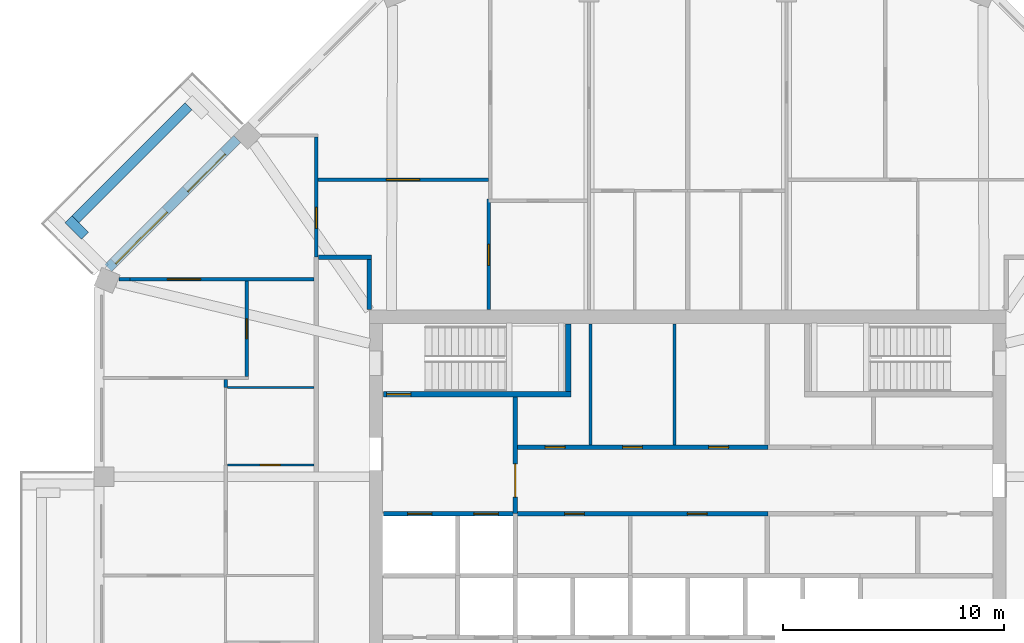
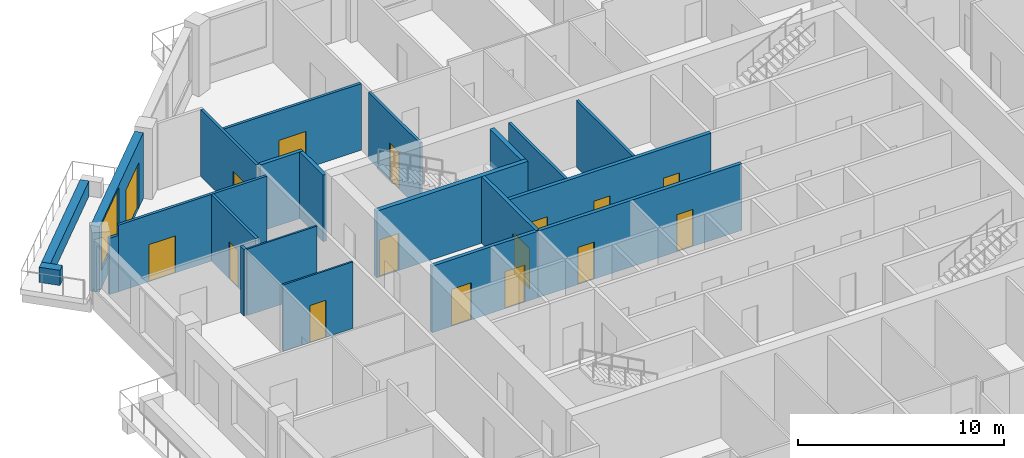
# One storey, part 7 of 12: 22 walls, 16 doors, 1 window, 17 openings.
"""IFC4 building model written with IfcOpenShell, lengths in metres."""

from ifc_helpers import new_model, si_unit, direction, frame, frame_2d, origin, place, context, subcontext, project, spatial, rectangle, extrude, material, layer, layer_set, type_object, element, fill, save


model = new_model("IFC4")

# Units and contexts
model_context = context("Model", 3, precision=1e-05, world=origin(), true_north=direction((0.0, 1.0)))
body_context = subcontext(model_context, "Body", "Model", "MODEL_VIEW")
ifc_project = project(units=[si_unit("LENGTHUNIT", "METRE"), si_unit("AREAUNIT", "SQUARE_METRE"), si_unit("VOLUMEUNIT", "CUBIC_METRE"), si_unit("PLANEANGLEUNIT", "RADIAN"), si_unit("MASSUNIT", "GRAM", prefix="KILO")], contexts=[model_context])

# Site, building, storey
site_placement = place(None, origin())
site = spatial("IfcSite", under=ifc_project, at=site_placement, CompositionType="ELEMENT")
building_placement = place(site_placement, origin())
building = spatial("IfcBuilding", under=site, at=building_placement, Name="Msitu Wima Residences", CompositionType="ELEMENT")
storey_placement = place(building_placement, frame((0.0, 0.0, 251.699951171875)))
storey = spatial("IfcBuildingStorey", under=building, at=storey_placement, Name="L58", CompositionType="ELEMENT", Elevation=251.699951171875)

# Walls
ifc_material_1 = material(Name="Facing brick")
ifc_layer_1 = layer(ifc_material_1, 0.06494140625, Name="Facing brick")
ifc_material_2 = material(Name="Concrete C40/50", Category="concrete")
ifc_layer_2 = layer(ifc_material_2, 0.156005859375, Name="Concrete C40/50")
ifc_material_3 = material(Name="Waterproofing membrane")
ifc_layer_3 = layer(ifc_material_3, 0.00390625, Name="Waterproofing membrane")
ifc_material_4 = material(Name="Planting soil and planting")
ifc_layer_4 = layer(ifc_material_4, 0.22509765625, Name="Planting soil and planting")
ifc_layer_set_1 = layer_set([ifc_layer_1, ifc_layer_2, ifc_layer_3, ifc_layer_4], Name="Concrete C40/50")
wall_type_1 = type_object("IfcWallType", Name="Balcony planter PLANTER PL450", PredefinedType="USERDEFINED", material=ifc_layer_set_1)
wall_1_placement = place(storey_placement, frame((-22.572265625, 21.228759765625, 0.0), z_axis=(0.0, 0.0, 1.0), x_axis=(-0.707106781187, -0.707106781187, 0.0)))
element("IfcWall", 1, at=wall_1_placement, inside=storey, type_object=wall_type_1, Name="Balcony planter NW1 L58", ObjectType="PLANTER", PredefinedType="USERDEFINED", context=body_context, shape_type="SweptSolid", body=[
    extrude(rectangle(XDim=7.23828125, YDim=0.449951171875, at=frame_2d((3.619140625, 0.0))), origin(), (0.0, 0.0, 1.0), 0.900146484375),
])
wall_2_placement = place(storey_placement, frame((-27.26611328125, 15.3681640625, 0.0), z_axis=(0.0, 0.0, 1.0), x_axis=(-0.707223014731, 0.706990528533, 0.0)))
element("IfcWall", 2, at=wall_2_placement, inside=storey, type_object=wall_type_1, Name="Balcony planter NW1 L58", ObjectType="PLANTER", PredefinedType="USERDEFINED", context=body_context, shape_type="SweptSolid", body=[
    extrude(rectangle(XDim=1.050048828125, YDim=0.449951171875, at=frame_2d((0.52490234375, 0.0))), origin(), (0.0, 0.0, 1.0), 0.900146484375),
])

# Wall, openings, door, window
ifc_material_5 = material(Name="Brick (red buff mix)", Category="masonry")
ifc_layer_5 = layer(ifc_material_5, 0.449951171875)
ifc_layer_set_2 = layer_set([ifc_layer_5], Name="Brick (red buff mix)")
wall_type_2 = type_object("IfcWallType", Name="Brick infill wall BW450", PredefinedType="SOLIDWALL", material=ifc_layer_set_2)
wall_3_placement = place(storey_placement, frame((-20.380126953125, 19.743896484375, 0.0), z_axis=(0.0, 0.0, 1.0), x_axis=(-0.707106781187, -0.707106781187, 0.0)))
wall_3 = element("IfcWall", 3, at=wall_3_placement, inside=storey, type_object=wall_type_2, Name="Brick infill wall L58 NW1", PredefinedType="SOLIDWALL", context=body_context, shape_type="SweptSolid", body=[
    extrude(rectangle(XDim=8.251220703125, YDim=0.449951171875, at=frame_2d((4.12548828125, 0.0))), origin(), (0.0, 0.0, 1.0), 3.900146484375),
])
opening_1_placement = place(wall_3_placement, frame((0.86279296875, 0.0, 0.0)))
opening_1 = element("IfcOpeningElement", 4, at=opening_1_placement, cuts=wall_3, Name="Opening D57-59.005", PredefinedType="OPENING", context=body_context, shape_type="SweptSolid", body=[
    extrude(rectangle(XDim=2.39990234375, YDim=2.699951171875, at=frame_2d((1.199951171875, 1.35009765625))), frame((0.0, 0.23486328125, 0.0), z_axis=(0.0, -1.0, 0.0), x_axis=(1.0, 0.0, 0.0)), (0.0, 0.0, 1.0), 0.469970703125),
])
opening_2_placement = place(wall_3_placement, frame((4.57568359375, 0.0, 1.050048828125)))
opening_2 = element("IfcOpeningElement", 5, at=opening_2_placement, cuts=wall_3, Name="Opening W57-59.015", PredefinedType="OPENING", context=body_context, shape_type="SweptSolid", body=[
    extrude(rectangle(XDim=3.300048828125, YDim=2.699951171875, at=frame_2d((1.64990234375, 1.35009765625))), frame((0.0, 0.23486328125, 0.0), z_axis=(0.0, -1.0, 0.0), x_axis=(1.0, 0.0, 0.0)), (0.0, 0.0, 1.0), 0.469970703125),
])
ifc_material_6 = material(Name="Anodised aluminium, bronze finish, clear low-emissivity double glazing", Category="aluminium")
door_type_1 = type_object("IfcDoorType", Name="Balcony door D2400x2700", OperationType="SLIDING_TO_LEFT", PredefinedType="DOOR", material=ifc_material_6)
door_1_placement = place(opening_1_placement, origin())
door_1 = element("IfcDoor", 6, at=door_1_placement, inside=storey, type_object=door_type_1, Name="Balcony door L58 NW1", OperationType="SINGLE_SWING_LEFT", OverallHeight=2.699951171875, OverallWidth=2.39990234375, PredefinedType="DOOR", context=body_context, shape_type="SweptSolid", body=[
    extrude(rectangle(XDim=2.39990234375, YDim=2.699951171875, at=frame_2d((1.199951171875, 1.35009765625))), frame((0.0, 0.1298828125, 0.0), z_axis=(0.0, -1.0, 0.0), x_axis=(1.0, 0.0, 0.0)), (0.0, 0.0, 1.0), 0.050048828125),
])
fill(opening_1, door_1)
window_type = type_object("IfcWindowType", Name="Window W3300x2700", PartitioningType="DOUBLE_PANEL_VERTICAL", PredefinedType="WINDOW", material=ifc_material_6)
window_placement = place(opening_2_placement, origin())
window = element("IfcWindow", 7, at=window_placement, inside=storey, type_object=window_type, Name="Window L58 NW1.2", OverallHeight=2.699951171875, OverallWidth=3.300048828125, PartitioningType="SINGLE_PANEL", PredefinedType="WINDOW", context=body_context, shape_type="SweptSolid", body=[
    extrude(rectangle(XDim=3.300048828125, YDim=2.699951171875, at=frame_2d((1.64990234375, 1.35009765625))), frame((0.0, 0.135009765625, 0.0), z_axis=(0.0, -1.0, 0.0), x_axis=(1.0, 0.0, 0.0)), (0.0, 0.0, 1.0), 0.06005859375),
])
fill(opening_2, window)

# Walls
ifc_material_7 = material(Name="Plaster")
ifc_layer_6 = layer(ifc_material_7, 0.011962890625, Name="Plaster")
ifc_material_8 = material(Name="Concrete blockwork", Category="masonry")
ifc_layer_7 = layer(ifc_material_8, 0.176025390625, Name="Concrete blockwork")
ifc_layer_8 = layer(ifc_material_7, 0.011962890625, Name="Plaster")
ifc_layer_set_3 = layer_set([ifc_layer_6, ifc_layer_7, ifc_layer_8], Name="Concrete blockwork")
wall_type_3 = type_object("IfcWallType", Name="Corridor wall FW200", PredefinedType="PARTITIONING", material=ifc_layer_set_3)
wall_4_placement = place(storey_placement, frame((-16.699951171875, 14.39990234375, 0.0), z_axis=(0.0, 0.0, 1.0), x_axis=(1.0, 0.0, 0.0)))
element("IfcWall", 8, at=wall_4_placement, inside=storey, type_object=wall_type_3, Name="Corridor wall", PredefinedType="PARTITIONING", context=body_context, shape_type="SweptSolid", body=[
    extrude(rectangle(XDim=2.39990234375, YDim=0.199951171875, at=frame_2d((1.199951171875, 0.0))), origin(), (0.0, 0.0, 1.0), 3.949951171875),
])
wall_5_placement = place(storey_placement, frame((-14.39990234375, 12.030029296875, 0.0), z_axis=(0.0, 0.0, 1.0), x_axis=(0.0, 1.0, 0.0)))
element("IfcWall", 9, at=wall_5_placement, inside=storey, type_object=wall_type_3, Name="Corridor wall", PredefinedType="PARTITIONING", context=body_context, shape_type="SweptSolid", body=[
    extrude(rectangle(XDim=2.27001953125, YDim=0.199951171875, at=frame_2d((1.135009765625, 0.0))), origin(), (0.0, 0.0, 1.0), 3.949951171875),
])

# Wall, openings, doors
wall_6_placement = place(storey_placement, frame((-7.820068359375, 2.800048828125, 0.0), z_axis=(0.0, 0.0, 1.0), x_axis=(1.0, 0.0, 0.0)))
wall_6 = element("IfcWall", 10, at=wall_6_placement, inside=storey, type_object=wall_type_3, Name="Corridor wall", PredefinedType="PARTITIONING", context=body_context, shape_type="SweptSolid", body=[
    extrude(rectangle(XDim=11.440185546875, YDim=0.199951171875, at=frame_2d((5.72021484375, 0.0))), origin(), (0.0, 0.0, 1.0), 3.949951171875),
])
opening_3_placement = place(wall_6_placement, frame((2.25, 0.0, 0.0)))
opening_3 = element("IfcOpeningElement", 11, at=opening_3_placement, cuts=wall_6, Name="Opening D57-59.079", PredefinedType="OPENING", context=body_context, shape_type="SweptSolid", body=[
    extrude(rectangle(XDim=0.89990234375, YDim=2.199951171875, at=frame_2d((0.449951171875, 1.10009765625))), frame((0.0, 0.10986328125, 0.0), z_axis=(0.0, -1.0, 0.0), x_axis=(1.0, 0.0, 0.0)), (0.0, 0.0, 1.0), 0.219970703125),
])
opening_4_placement = place(wall_6_placement, frame((7.800048828125, 0.0, 0.0)))
opening_4 = element("IfcOpeningElement", 12, at=opening_4_placement, cuts=wall_6, Name="Opening D57-59.080", PredefinedType="OPENING", context=body_context, shape_type="SweptSolid", body=[
    extrude(rectangle(XDim=0.89990234375, YDim=2.199951171875, at=frame_2d((0.449951171875, 1.10009765625))), frame((0.0, 0.10986328125, 0.0), z_axis=(0.0, -1.0, 0.0), x_axis=(1.0, 0.0, 0.0)), (0.0, 0.0, 1.0), 0.219970703125),
])
ifc_material_9 = material(Name="Timber flush door", Category="wood")
door_type_2 = type_object("IfcDoorType", Name="Service door D05 900x2200", OperationType="SINGLE_SWING_LEFT", PredefinedType="DOOR", material=ifc_material_9)
door_2_placement = place(opening_3_placement, origin())
door_2 = element("IfcDoor", 13, at=door_2_placement, inside=storey, type_object=door_type_2, Name="Service door", OperationType="SINGLE_SWING_LEFT", OverallHeight=2.199951171875, OverallWidth=0.89990234375, PredefinedType="DOOR", context=body_context, shape_type="SweptSolid", body=[
    extrude(rectangle(XDim=0.89990234375, YDim=2.199951171875, at=frame_2d((0.449951171875, 1.10009765625))), frame((0.0, 0.02490234375, 0.0), z_axis=(0.0, -1.0, 0.0), x_axis=(1.0, 0.0, 0.0)), (0.0, 0.0, 1.0), 0.050048828125),
])
fill(opening_3, door_2)
door_3_placement = place(opening_4_placement, origin())
door_3 = element("IfcDoor", 14, at=door_3_placement, inside=storey, type_object=door_type_2, Name="Service door", OperationType="SINGLE_SWING_RIGHT", OverallHeight=2.199951171875, OverallWidth=0.89990234375, PredefinedType="DOOR", context=body_context, shape_type="SweptSolid", body=[
    extrude(rectangle(XDim=0.89990234375, YDim=2.199951171875, at=frame_2d((0.449951171875, 1.10009765625))), frame((0.0, 0.02490234375, 0.0), z_axis=(0.0, -1.0, 0.0), x_axis=(1.0, 0.0, 0.0)), (0.0, 0.0, 1.0), 0.050048828125),
])
fill(opening_4, door_3)

# Wall, opening, door
wall_7_placement = place(storey_placement, frame((-7.800048828125, 2.800048828125, 0.0), z_axis=(0.0, 0.0, 1.0), x_axis=(0.0, 1.0, 0.0)))
wall_7 = element("IfcWall", 15, at=wall_7_placement, inside=storey, type_object=wall_type_3, Name="Corridor wall", PredefinedType="PARTITIONING", context=body_context, shape_type="SweptSolid", body=[
    extrude(rectangle(XDim=5.27490234375, YDim=0.199951171875, at=frame_2d((2.637451171875, 0.0))), origin(), (0.0, 0.0, 1.0), 3.949951171875),
])
opening_5_placement = place(wall_7_placement, frame((0.75, 0.0, 0.0)))
opening_5 = element("IfcOpeningElement", 16, at=opening_5_placement, cuts=wall_7, Name="Opening D57-59.065", PredefinedType="OPENING", context=body_context, shape_type="SweptSolid", body=[
    extrude(rectangle(XDim=1.5, YDim=2.39990234375, at=frame_2d((0.75, 1.199951171875))), frame((0.0, 0.10986328125, 0.0), z_axis=(0.0, -1.0, 0.0), x_axis=(1.0, 0.0, 0.0)), (0.0, 0.0, 1.0), 0.219970703125),
])
ifc_material_10 = material(Name="Steel framed glazed door, fire resisting", Category="steel")
door_type_3 = type_object("IfcDoorType", Name="Lobby door D07 1500x2400", OperationType="DOUBLE_DOOR_SINGLE_SWING", PredefinedType="DOOR", material=ifc_material_10)
door_4_placement = place(opening_5_placement, origin())
door_4 = element("IfcDoor", 17, at=door_4_placement, inside=storey, type_object=door_type_3, Name="Lobby door", OperationType="DOUBLE_DOOR_SINGLE_SWING", OverallHeight=2.39990234375, OverallWidth=1.5, PredefinedType="DOOR", context=body_context, shape_type="SweptSolid", body=[
    extrude(rectangle(XDim=1.5, YDim=2.39990234375, at=frame_2d((0.75, 1.199951171875))), frame((0.0, 0.02490234375, 0.0), z_axis=(0.0, -1.0, 0.0), x_axis=(1.0, 0.0, 0.0)), (0.0, 0.0, 1.0), 0.050048828125),
])
fill(opening_5, door_4)

# Wall, openings, doors
wall_8_placement = place(storey_placement, frame((-7.699951171875, 5.800048828125, 0.0), z_axis=(0.0, 0.0, 1.0), x_axis=(1.0, 0.0, 0.0)))
wall_8 = element("IfcWall", 18, at=wall_8_placement, inside=storey, type_object=wall_type_3, Name="Corridor wall", PredefinedType="PARTITIONING", context=body_context, shape_type="SweptSolid", body=[
    extrude(rectangle(XDim=11.320068359375, YDim=0.199951171875, at=frame_2d((5.66015625, 0.0))), origin(), (0.0, 0.0, 1.0), 3.949951171875),
])
opening_6_placement = place(wall_8_placement, frame((1.25, 0.0, 0.0)))
opening_6 = element("IfcOpeningElement", 19, at=opening_6_placement, cuts=wall_8, Name="Opening D57-59.068", PredefinedType="OPENING", context=body_context, shape_type="SweptSolid", body=[
    extrude(rectangle(XDim=0.89990234375, YDim=2.199951171875, at=frame_2d((0.449951171875, 1.10009765625))), frame((0.0, 0.10986328125, 0.0), z_axis=(0.0, -1.0, 0.0), x_axis=(1.0, 0.0, 0.0)), (0.0, 0.0, 1.0), 0.219970703125),
])
opening_7_placement = place(wall_8_placement, frame((4.75, 0.0, 0.0)))
opening_7 = element("IfcOpeningElement", 20, at=opening_7_placement, cuts=wall_8, Name="Opening D57-59.069", PredefinedType="OPENING", context=body_context, shape_type="SweptSolid", body=[
    extrude(rectangle(XDim=0.89990234375, YDim=2.199951171875, at=frame_2d((0.449951171875, 1.10009765625))), frame((0.0, 0.10986328125, 0.0), z_axis=(0.0, -1.0, 0.0), x_axis=(1.0, 0.0, 0.0)), (0.0, 0.0, 1.0), 0.219970703125),
])
opening_8_placement = place(wall_8_placement, frame((8.64990234375, 0.0, 0.0)))
opening_8 = element("IfcOpeningElement", 21, at=opening_8_placement, cuts=wall_8, Name="Opening D57-59.070", PredefinedType="OPENING", context=body_context, shape_type="SweptSolid", body=[
    extrude(rectangle(XDim=0.89990234375, YDim=2.199951171875, at=frame_2d((0.449951171875, 1.10009765625))), frame((0.0, 0.10986328125, 0.0), z_axis=(0.0, -1.0, 0.0), x_axis=(1.0, 0.0, 0.0)), (0.0, 0.0, 1.0), 0.219970703125),
])
door_5_placement = place(opening_6_placement, origin())
door_5 = element("IfcDoor", 22, at=door_5_placement, inside=storey, type_object=door_type_2, Name="Service door", OperationType="SINGLE_SWING_RIGHT", OverallHeight=2.199951171875, OverallWidth=0.89990234375, PredefinedType="DOOR", context=body_context, shape_type="SweptSolid", body=[
    extrude(rectangle(XDim=0.89990234375, YDim=2.199951171875, at=frame_2d((0.449951171875, 1.10009765625))), frame((0.0, 0.02490234375, 0.0), z_axis=(0.0, -1.0, 0.0), x_axis=(1.0, 0.0, 0.0)), (0.0, 0.0, 1.0), 0.050048828125),
])
fill(opening_6, door_5)
door_6_placement = place(opening_7_placement, origin())
door_6 = element("IfcDoor", 23, at=door_6_placement, inside=storey, type_object=door_type_2, Name="Service door", OperationType="SINGLE_SWING_LEFT", OverallHeight=2.199951171875, OverallWidth=0.89990234375, PredefinedType="DOOR", context=body_context, shape_type="SweptSolid", body=[
    extrude(rectangle(XDim=0.89990234375, YDim=2.199951171875, at=frame_2d((0.449951171875, 1.10009765625))), frame((0.0, 0.02490234375, 0.0), z_axis=(0.0, -1.0, 0.0), x_axis=(1.0, 0.0, 0.0)), (0.0, 0.0, 1.0), 0.050048828125),
])
fill(opening_7, door_6)
door_7_placement = place(opening_8_placement, origin())
door_7 = element("IfcDoor", 24, at=door_7_placement, inside=storey, type_object=door_type_2, Name="Service door", OperationType="SINGLE_SWING_LEFT", OverallHeight=2.199951171875, OverallWidth=0.89990234375, PredefinedType="DOOR", context=body_context, shape_type="SweptSolid", body=[
    extrude(rectangle(XDim=0.89990234375, YDim=2.199951171875, at=frame_2d((0.449951171875, 1.10009765625))), frame((0.0, 0.02490234375, 0.0), z_axis=(0.0, -1.0, 0.0), x_axis=(1.0, 0.0, 0.0)), (0.0, 0.0, 1.0), 0.050048828125),
])
fill(opening_8, door_7)

# Wall
ifc_layer_9 = layer(ifc_material_7, 0.011962890625, Name="Plaster")
ifc_layer_10 = layer(ifc_material_8, 0.1259765625, Name="Concrete blockwork")
ifc_layer_11 = layer(ifc_material_7, 0.011962890625, Name="Plaster")
ifc_layer_set_4 = layer_set([ifc_layer_9, ifc_layer_10, ifc_layer_11], Name="Concrete blockwork")
wall_type_4 = type_object("IfcWallType", Name="Partition PW150", PredefinedType="PARTITIONING", material=ifc_layer_set_4)
wall_9_placement = place(storey_placement, frame((-25.731201171875, 13.406005859375, 0.0), z_axis=(0.0, 0.0, 1.0), x_axis=(1.0, 0.0, 0.0)))
element("IfcWall", 25, at=wall_9_placement, inside=storey, type_object=wall_type_4, Name="Partition", PredefinedType="PARTITIONING", context=body_context, shape_type="SweptSolid", body=[
    extrude(rectangle(XDim=0.507080078125, YDim=0.14990234375, at=frame_2d((0.25341796875, 0.0))), origin(), (0.0, 0.0, 1.0), 3.35009765625),
])

# Wall, opening, door
wall_10_placement = place(storey_placement, frame((-25.22412109375, 13.406005859375, 0.0), z_axis=(0.0, 0.0, 1.0), x_axis=(1.0, 0.0, 0.0)))
wall_10 = element("IfcWall", 26, at=wall_10_placement, inside=storey, type_object=wall_type_4, Name="Partition", PredefinedType="PARTITIONING", context=body_context, shape_type="SweptSolid", body=[
    extrude(rectangle(XDim=8.32421875, YDim=0.14990234375, at=frame_2d((4.162109375, 0.0))), origin(), (0.0, 0.0, 1.0), 3.949951171875),
])
opening_9_placement = place(wall_10_placement, frame((1.69287109375, 0.0, 0.0)))
opening_9 = element("IfcOpeningElement", 27, at=opening_9_placement, cuts=wall_10, Name="Opening D57-59.048", PredefinedType="OPENING", context=body_context, shape_type="SweptSolid", body=[
    extrude(rectangle(XDim=1.5, YDim=2.199951171875, at=frame_2d((0.75, 1.10009765625))), frame((0.0, 0.0849609375, 0.0), z_axis=(0.0, -1.0, 0.0), x_axis=(1.0, 0.0, 0.0)), (0.0, 0.0, 1.0), 0.169921875),
])
ifc_material_11 = material(Name="Timber double door", Category="wood")
door_type_4 = type_object("IfcDoorType", Name="Double door D04 1500x2200", OperationType="DOUBLE_DOOR_SINGLE_SWING", PredefinedType="DOOR", material=ifc_material_11)
door_8_placement = place(opening_9_placement, origin())
door_8 = element("IfcDoor", 28, at=door_8_placement, inside=storey, type_object=door_type_4, Name="Double door", OperationType="DOUBLE_DOOR_SINGLE_SWING", OverallHeight=2.199951171875, OverallWidth=1.5, PredefinedType="DOOR", context=body_context, shape_type="SweptSolid", body=[
    extrude(rectangle(XDim=1.5, YDim=2.199951171875, at=frame_2d((0.75, 1.10009765625))), frame((0.0, 0.02490234375, 0.0), z_axis=(0.0, -1.0, 0.0), x_axis=(1.0, 0.0, 0.0)), (0.0, 0.0, 1.0), 0.050048828125),
])
fill(opening_9, door_8)

# Wall
wall_11_placement = place(storey_placement, frame((-20.89990234375, 8.5, 0.0), z_axis=(0.0, 0.0, 1.0), x_axis=(0.0, 1.0, 0.0)))
element("IfcWall", 29, at=wall_11_placement, inside=storey, type_object=wall_type_4, Name="Partition", PredefinedType="PARTITIONING", context=body_context, shape_type="SweptSolid", body=[
    extrude(rectangle(XDim=0.3623046875, YDim=0.14990234375, at=frame_2d((0.18115234375, 0.0))), origin(), (0.0, 0.0, 1.0), 3.949951171875),
])

# Wall, opening, door
wall_12_placement = place(storey_placement, frame((-19.949951171875, 9.01220703125, 0.0), z_axis=(0.0, 0.0, 1.0), x_axis=(0.0, 1.0, 0.0)))
wall_12 = element("IfcWall", 30, at=wall_12_placement, inside=storey, type_object=wall_type_4, Name="Partition", PredefinedType="PARTITIONING", context=body_context, shape_type="SweptSolid", body=[
    extrude(rectangle(XDim=4.318603515625, YDim=0.14990234375, at=frame_2d((2.1591796875, 0.0))), origin(), (0.0, 0.0, 1.0), 3.949951171875),
])
opening_10_placement = place(wall_12_placement, frame((1.699951171875, 0.0, 0.0)))
opening_10 = element("IfcOpeningElement", 31, at=opening_10_placement, cuts=wall_12, Name="Opening D57-59.032", PredefinedType="OPENING", context=body_context, shape_type="SweptSolid", body=[
    extrude(rectangle(XDim=0.89990234375, YDim=2.199951171875, at=frame_2d((0.449951171875, 1.10009765625))), frame((0.0, 0.0849609375, 0.0), z_axis=(0.0, -1.0, 0.0), x_axis=(1.0, 0.0, 0.0)), (0.0, 0.0, 1.0), 0.169921875),
])
door_9_placement = place(opening_10_placement, origin())
door_9 = element("IfcDoor", 32, at=door_9_placement, inside=storey, type_object=door_type_2, Name="Service door", OperationType="SINGLE_SWING_LEFT", OverallHeight=2.199951171875, OverallWidth=0.89990234375, PredefinedType="DOOR", context=body_context, shape_type="SweptSolid", body=[
    extrude(rectangle(XDim=0.89990234375, YDim=2.199951171875, at=frame_2d((0.449951171875, 1.10009765625))), frame((0.0, 0.02490234375, 0.0), z_axis=(0.0, -1.0, 0.0), x_axis=(1.0, 0.0, 0.0)), (0.0, 0.0, 1.0), 0.050048828125),
])
fill(opening_10, door_9)

wall_13_placement = place(storey_placement, frame((-16.800048828125, 14.39990234375, 0.0), z_axis=(0.0, 0.0, 1.0), x_axis=(0.0, 1.0, 0.0)))
wall_13 = element("IfcWall", 33, at=wall_13_placement, inside=storey, type_object=wall_type_4, Name="Partition", PredefinedType="PARTITIONING", context=body_context, shape_type="SweptSolid", body=[
    extrude(rectangle(XDim=5.427978515625, YDim=0.14990234375, at=frame_2d((2.7138671875, 0.0))), origin(), (0.0, 0.0, 1.0), 3.949951171875),
])
opening_11_placement = place(wall_13_placement, frame((1.300048828125, 0.0, 0.0)))
opening_11 = element("IfcOpeningElement", 34, at=opening_11_placement, cuts=wall_13, Name="Opening D57-59.028", PredefinedType="OPENING", context=body_context, shape_type="SweptSolid", body=[
    extrude(rectangle(XDim=0.949951171875, YDim=2.199951171875, at=frame_2d((0.47509765625, 1.10009765625))), frame((0.0, 0.0849609375, 0.0), z_axis=(0.0, -1.0, 0.0), x_axis=(1.0, 0.0, 0.0)), (0.0, 0.0, 1.0), 0.169921875),
])
door_type_5 = type_object("IfcDoorType", Name="Room door D12 950x2200", OperationType="SINGLE_SWING_LEFT", PredefinedType="DOOR", material=ifc_material_9)
door_10_placement = place(opening_11_placement, origin())
door_10 = element("IfcDoor", 35, at=door_10_placement, inside=storey, type_object=door_type_5, Name="Room door", OperationType="SINGLE_SWING_LEFT", OverallHeight=2.199951171875, OverallWidth=0.949951171875, PredefinedType="DOOR", context=body_context, shape_type="SweptSolid", body=[
    extrude(rectangle(XDim=0.949951171875, YDim=2.199951171875, at=frame_2d((0.47509765625, 1.10009765625))), frame((0.0, 0.02490234375, 0.0), z_axis=(0.0, -1.0, 0.0), x_axis=(1.0, 0.0, 0.0)), (0.0, 0.0, 1.0), 0.050048828125),
])
fill(opening_11, door_10)

wall_14_placement = place(storey_placement, frame((-16.72509765625, 17.89990234375, 0.0), z_axis=(0.0, 0.0, 1.0), x_axis=(1.0, 0.0, 0.0)))
wall_14 = element("IfcWall", 36, at=wall_14_placement, inside=storey, type_object=wall_type_4, Name="Partition", PredefinedType="PARTITIONING", context=body_context, shape_type="SweptSolid", body=[
    extrude(rectangle(XDim=7.712890625, YDim=0.14990234375, at=frame_2d((3.8564453125, 0.0))), origin(), (0.0, 0.0, 1.0), 3.949951171875),
])
opening_12_placement = place(wall_14_placement, frame((3.10009765625, 0.0, 0.0)))
opening_12 = element("IfcOpeningElement", 37, at=opening_12_placement, cuts=wall_14, Name="Opening D57-59.029", PredefinedType="OPENING", context=body_context, shape_type="SweptSolid", body=[
    extrude(rectangle(XDim=1.5, YDim=2.199951171875, at=frame_2d((0.75, 1.10009765625))), frame((0.0, 0.0849609375, 0.0), z_axis=(0.0, -1.0, 0.0), x_axis=(1.0, 0.0, 0.0)), (0.0, 0.0, 1.0), 0.169921875),
])
door_11_placement = place(opening_12_placement, origin())
door_11 = element("IfcDoor", 38, at=door_11_placement, inside=storey, type_object=door_type_4, Name="Double door", OperationType="DOUBLE_DOOR_SINGLE_SWING", OverallHeight=2.199951171875, OverallWidth=1.5, PredefinedType="DOOR", context=body_context, shape_type="SweptSolid", body=[
    extrude(rectangle(XDim=1.5, YDim=2.199951171875, at=frame_2d((0.75, 1.10009765625))), frame((0.0, 0.02490234375, 0.0), z_axis=(0.0, -1.0, 0.0), x_axis=(1.0, 0.0, 0.0)), (0.0, 0.0, 1.0), 0.050048828125),
])
fill(opening_12, door_11)

wall_15_placement = place(storey_placement, frame((-9.0, 12.030029296875, 0.0), z_axis=(0.0, 0.0, 1.0), x_axis=(0.0, 1.0, 0.0)))
wall_15 = element("IfcWall", 39, at=wall_15_placement, inside=storey, type_object=wall_type_4, Name="Partition", PredefinedType="PARTITIONING", context=body_context, shape_type="SweptSolid", body=[
    extrude(rectangle(XDim=4.994873046875, YDim=0.14990234375, at=frame_2d((2.49755859375, 0.0))), origin(), (0.0, 0.0, 1.0), 3.949951171875),
])
opening_13_placement = place(wall_15_placement, frame((2.0, 0.0, 0.0)))
opening_13 = element("IfcOpeningElement", 40, at=opening_13_placement, cuts=wall_15, Name="Opening D57-59.034", PredefinedType="OPENING", context=body_context, shape_type="SweptSolid", body=[
    extrude(rectangle(XDim=0.949951171875, YDim=2.199951171875, at=frame_2d((0.47509765625, 1.10009765625))), frame((0.0, 0.0849609375, 0.0), z_axis=(0.0, -1.0, 0.0), x_axis=(1.0, 0.0, 0.0)), (0.0, 0.0, 1.0), 0.169921875),
])
door_12_placement = place(opening_13_placement, origin())
door_12 = element("IfcDoor", 41, at=door_12_placement, inside=storey, type_object=door_type_5, Name="Room door", OperationType="SINGLE_SWING_LEFT", OverallHeight=2.199951171875, OverallWidth=0.949951171875, PredefinedType="DOOR", context=body_context, shape_type="SweptSolid", body=[
    extrude(rectangle(XDim=0.949951171875, YDim=2.199951171875, at=frame_2d((0.47509765625, 1.10009765625))), frame((0.0, 0.02490234375, 0.0), z_axis=(0.0, -1.0, 0.0), x_axis=(1.0, 0.0, 0.0)), (0.0, 0.0, 1.0), 0.050048828125),
])
fill(opening_13, door_12)

# Walls
for number, where, z_axis, x_axis, name in (
    (42, (-4.39990234375, 5.89990234375, 0.0), (0.0, 0.0, 1.0), (0.0, 1.0, 0.0), "Partition"),
    (43, (-0.60009765625, 5.89990234375, 0.0), (0.0, 0.0, 1.0), (0.0, 1.0, 0.0), "Partition"),
):
    element("IfcWall", number, at=place(storey_placement, frame(where, z_axis=z_axis, x_axis=x_axis)), inside=storey, type_object=wall_type_4, Name=name, PredefinedType="PARTITIONING", context=body_context, shape_type="SweptSolid", body=[
        extrude(rectangle(XDim=5.47021484375, YDim=0.14990234375, at=frame_2d((2.735107421875, 0.0))), origin(), (0.0, 0.0, 1.0), 3.949951171875),
    ])

# Wall, openings, doors
ifc_material_12 = material(Name="Fire-rated board")
ifc_layer_12 = layer(ifc_material_12, 0.02490234375, Name="Fire-rated board")
ifc_material_13 = material(Name="Light-gauge stud framing with mineral wool")
ifc_layer_13 = layer(ifc_material_13, 0.14990234375, Name="Light-gauge stud framing with mineral wool")
ifc_layer_14 = layer(ifc_material_12, 0.02490234375, Name="Fire-rated board")
ifc_layer_set_5 = layer_set([ifc_layer_12, ifc_layer_13, ifc_layer_14], Name="Light-gauge stud framing with mineral wool")
wall_type_5 = type_object("IfcWallType", Name="Shaft wall SH200", PredefinedType="PARTITIONING", material=ifc_layer_set_5)
wall_16_placement = place(storey_placement, frame((-13.77001953125, 2.800048828125, 0.0), z_axis=(0.0, 0.0, 1.0), x_axis=(1.0, 0.0, 0.0)))
wall_16 = element("IfcWall", 44, at=wall_16_placement, inside=storey, type_object=wall_type_5, Name="Shaft wall", PredefinedType="PARTITIONING", context=body_context, shape_type="SweptSolid", body=[
    extrude(rectangle(XDim=5.949951171875, YDim=0.199951171875, at=frame_2d((2.97509765625, 0.0))), origin(), (0.0, 0.0, 1.0), 3.949951171875),
])
opening_14_placement = place(wall_16_placement, frame((1.10009765625, 0.0, 0.0)))
opening_14 = element("IfcOpeningElement", 45, at=opening_14_placement, cuts=wall_16, Name="Opening LD", PredefinedType="OPENING", context=body_context, shape_type="SweptSolid", body=[
    extrude(rectangle(XDim=1.10009765625, YDim=2.199951171875, at=frame_2d((0.550048828125, 1.10009765625))), frame((0.0, 0.10986328125, 0.0), z_axis=(0.0, -1.0, 0.0), x_axis=(1.0, 0.0, 0.0)), (0.0, 0.0, 1.0), 0.219970703125),
])
opening_15_placement = place(wall_16_placement, frame((4.10009765625, 0.0, 0.0)))
opening_15 = element("IfcOpeningElement", 46, at=opening_15_placement, cuts=wall_16, Name="Opening LD", PredefinedType="OPENING", context=body_context, shape_type="SweptSolid", body=[
    extrude(rectangle(XDim=1.10009765625, YDim=2.199951171875, at=frame_2d((0.550048828125, 1.10009765625))), frame((0.0, 0.10986328125, 0.0), z_axis=(0.0, -1.0, 0.0), x_axis=(1.0, 0.0, 0.0)), (0.0, 0.0, 1.0), 0.219970703125),
])
ifc_material_14 = material(Name="Stainless steel centre-opening landing door, rated", Category="steel")
door_type_6 = type_object("IfcDoorType", Name="Lift landing door LD 1100x2200", OperationType="DOUBLE_DOOR_SLIDING", PredefinedType="DOOR", material=ifc_material_14)
door_13_placement = place(opening_14_placement, origin())
door_13 = element("IfcDoor", 47, at=door_13_placement, inside=storey, type_object=door_type_6, Name="Lift landing door LD1", OperationType="DOUBLE_DOOR_SLIDING", OverallHeight=2.199951171875, OverallWidth=1.10009765625, PredefinedType="DOOR", context=body_context, shape_type="SweptSolid", body=[
    extrude(rectangle(XDim=1.10009765625, YDim=2.199951171875, at=frame_2d((0.550048828125, 1.10009765625))), frame((0.0, 0.02490234375, 0.0), z_axis=(0.0, -1.0, 0.0), x_axis=(1.0, 0.0, 0.0)), (0.0, 0.0, 1.0), 0.050048828125),
])
fill(opening_14, door_13)
door_14_placement = place(opening_15_placement, origin())
door_14 = element("IfcDoor", 48, at=door_14_placement, inside=storey, type_object=door_type_6, Name="Lift landing door LD2", OperationType="DOUBLE_DOOR_SLIDING", OverallHeight=2.199951171875, OverallWidth=1.10009765625, PredefinedType="DOOR", context=body_context, shape_type="SweptSolid", body=[
    extrude(rectangle(XDim=1.10009765625, YDim=2.199951171875, at=frame_2d((0.550048828125, 1.10009765625))), frame((0.0, 0.02490234375, 0.0), z_axis=(0.0, -1.0, 0.0), x_axis=(1.0, 0.0, 0.0)), (0.0, 0.0, 1.0), 0.050048828125),
])
fill(opening_15, door_14)

# Wall, opening, door
ifc_material_15 = material(Name="Concrete C50/60", Category="concrete")
ifc_layer_15 = layer(ifc_material_15, 0.25)
ifc_layer_set_6 = layer_set([ifc_layer_15], Name="Concrete C50/60")
wall_type_6 = type_object("IfcWallType", Name="Stair enclosure wall SW250", PredefinedType="SHEAR", material=ifc_layer_set_6)
wall_17_placement = place(storey_placement, frame((-13.77001953125, 8.199951171875, 0.0), z_axis=(0.0, 0.0, 1.0), x_axis=(1.0, 0.0, 0.0)))
wall_17 = element("IfcWall", 49, at=wall_17_placement, inside=storey, type_object=wall_type_6, Name="Stair enclosure wall", PredefinedType="SHEAR", context=body_context, shape_type="SweptSolid", body=[
    extrude(rectangle(XDim=8.4951171875, YDim=0.25, at=frame_2d((4.24755859375, 0.0))), origin(), (0.0, 0.0, 1.0), 3.949951171875),
])
opening_16_placement = place(wall_17_placement, frame((0.14990234375, 0.0, 0.0)))
opening_16 = element("IfcOpeningElement", 50, at=opening_16_placement, cuts=wall_17, Name="Opening D57-59.085", PredefinedType="OPENING", context=body_context, shape_type="SweptSolid", body=[
    extrude(rectangle(XDim=1.10009765625, YDim=2.199951171875, at=frame_2d((0.550048828125, 1.10009765625))), frame((0.0, 0.135009765625, 0.0), z_axis=(0.0, -1.0, 0.0), x_axis=(1.0, 0.0, 0.0)), (0.0, 0.0, 1.0), 0.27001953125),
])
ifc_material_16 = material(Name="Steel door, fire resisting, panic bar", Category="steel")
door_type_7 = type_object("IfcDoorType", Name="Stair door D06 1100x2200", OperationType="SINGLE_SWING_LEFT", PredefinedType="DOOR", material=ifc_material_16)
door_15_placement = place(opening_16_placement, origin())
door_15 = element("IfcDoor", 51, at=door_15_placement, inside=storey, type_object=door_type_7, Name="Stair door", OperationType="SINGLE_SWING_LEFT", OverallHeight=2.199951171875, OverallWidth=1.10009765625, PredefinedType="DOOR", context=body_context, shape_type="SweptSolid", body=[
    extrude(rectangle(XDim=1.10009765625, YDim=2.199951171875, at=frame_2d((0.550048828125, 1.10009765625))), frame((0.0, 0.02490234375, 0.0), z_axis=(0.0, -1.0, 0.0), x_axis=(1.0, 0.0, 0.0)), (0.0, 0.0, 1.0), 0.050048828125),
])
fill(opening_16, door_15)

# Wall
wall_18_placement = place(storey_placement, frame((-5.39990234375, 8.324951171875, 0.0), z_axis=(0.0, 0.0, 1.0), x_axis=(0.0, 1.0, 0.0)))
element("IfcWall", 52, at=wall_18_placement, inside=storey, type_object=wall_type_6, Name="Stair enclosure wall", PredefinedType="SHEAR", context=body_context, shape_type="SweptSolid", body=[
    extrude(rectangle(XDim=3.045166015625, YDim=0.25, at=frame_2d((1.5224609375, 0.0))), origin(), (0.0, 0.0, 1.0), 3.949951171875),
])

# Wall, opening, door
ifc_material_17 = material(Name="Ceramic tiles")
ifc_layer_16 = layer(ifc_material_17, 0.008056640625, Name="Ceramic tiles")
ifc_material_18 = material(Name="Moisture-resistant board")
ifc_layer_17 = layer(ifc_material_18, 0.012451171875, Name="Moisture-resistant board")
ifc_layer_18 = layer(ifc_material_13, 0.06689453125, Name="Light-gauge stud framing with mineral wool")
ifc_layer_19 = layer(ifc_material_18, 0.012451171875, Name="Moisture-resistant board")
ifc_layer_set_7 = layer_set([ifc_layer_16, ifc_layer_17, ifc_layer_18, ifc_layer_19], Name="Light-gauge stud framing with mineral wool")
wall_type_7 = type_object("IfcWallType", Name="Wet wall PW100", PredefinedType="PARTITIONING", material=ifc_layer_set_7)
wall_19_placement = place(storey_placement, frame((-20.824951171875, 5.0, 0.0), z_axis=(0.0, 0.0, 1.0), x_axis=(1.0, 0.0, 0.0)))
wall_19 = element("IfcWall", 53, at=wall_19_placement, inside=storey, type_object=wall_type_7, Name="Wet wall", PredefinedType="PARTITIONING", context=body_context, shape_type="SweptSolid", body=[
    extrude(rectangle(XDim=3.925048828125, YDim=0.10009765625, at=frame_2d((1.96240234375, 0.0))), origin(), (0.0, 0.0, 1.0), 3.949951171875),
])
opening_17_placement = place(wall_19_placement, frame((1.5, 0.0, 0.0)))
opening_17 = element("IfcOpeningElement", 54, at=opening_17_placement, cuts=wall_19, Name="Opening D57-59.031", PredefinedType="OPENING", context=body_context, shape_type="SweptSolid", body=[
    extrude(rectangle(XDim=0.89990234375, YDim=2.199951171875, at=frame_2d((0.449951171875, 1.10009765625))), frame((0.0, 0.06005859375, 0.0), z_axis=(0.0, -1.0, 0.0), x_axis=(1.0, 0.0, 0.0)), (0.0, 0.0, 1.0), 0.1201171875),
])
door_16_placement = place(opening_17_placement, origin())
door_16 = element("IfcDoor", 55, at=door_16_placement, inside=storey, type_object=door_type_2, Name="Service door", OperationType="SINGLE_SWING_RIGHT", OverallHeight=2.199951171875, OverallWidth=0.89990234375, PredefinedType="DOOR", context=body_context, shape_type="SweptSolid", body=[
    extrude(rectangle(XDim=0.89990234375, YDim=2.199951171875, at=frame_2d((0.449951171875, 1.10009765625))), frame((0.0, 0.02490234375, 0.0), z_axis=(0.0, -1.0, 0.0), x_axis=(1.0, 0.0, 0.0)), (0.0, 0.0, 1.0), 0.050048828125),
])
fill(opening_17, door_16)

# Wall
wall_20_placement = place(storey_placement, frame((-20.824951171875, 8.5, 0.0), z_axis=(0.0, 0.0, 1.0), x_axis=(1.0, 0.0, 0.0)))
element("IfcWall", 56, at=wall_20_placement, inside=storey, type_object=wall_type_7, Name="Wet wall", PredefinedType="PARTITIONING", context=body_context, shape_type="SweptSolid", body=[
    extrude(rectangle(XDim=3.925048828125, YDim=0.10009765625, at=frame_2d((1.96240234375, 0.0))), origin(), (0.0, 0.0, 1.0), 3.949951171875),
])

save(model, "model.ifc")
